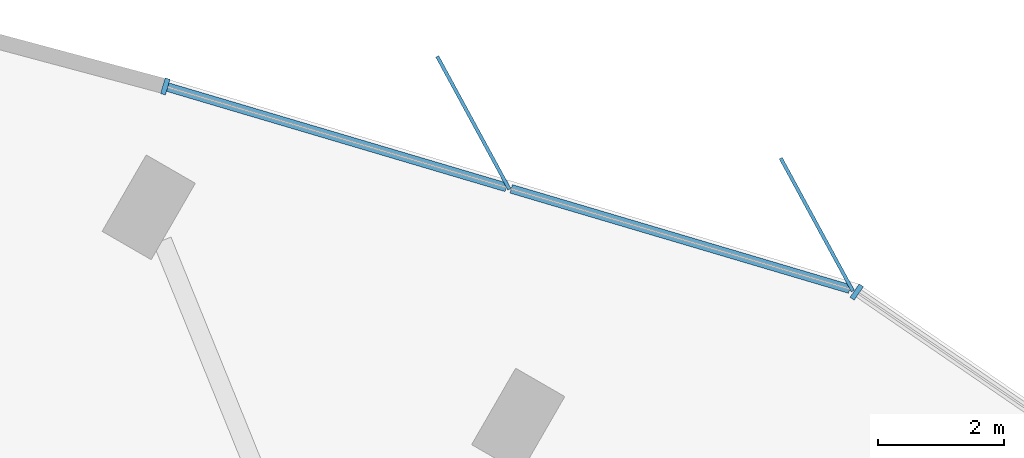
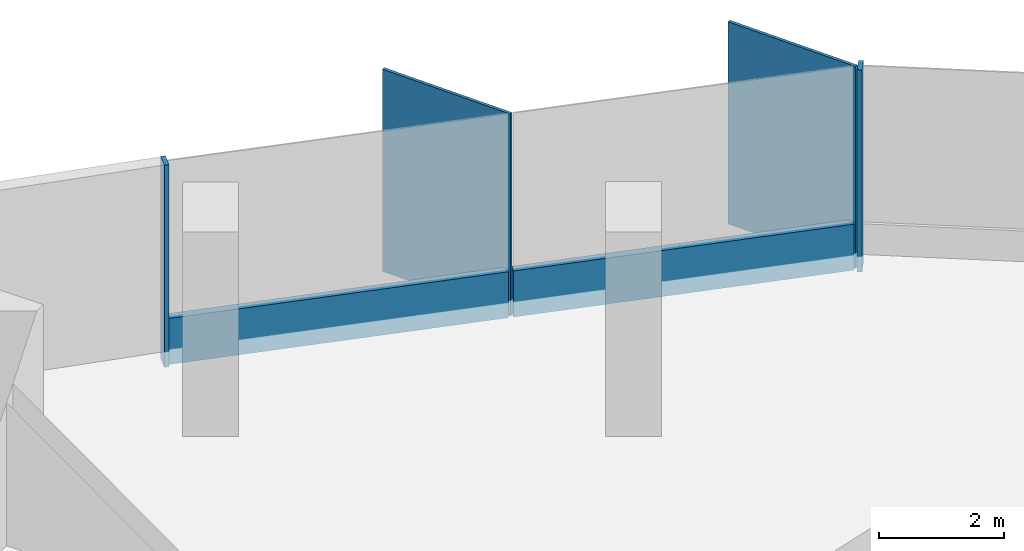
# One storey, part 6 of 13: 6 members, 2 elements without a shape of their own.
"""IFC4 building model written with IfcOpenShell, lengths in metres."""

from ifc_helpers import new_model, si_unit, direction, frame, origin, origin_2d, place, context, subcontext, project, spatial, rectangle, extrude, material, material_profile, profile_set, type_object, element, aggregate, save


model = new_model("IFC4")

# Units and contexts
model_context = context("Model", 3, precision=1e-05, world=origin(), true_north=direction((0.0, 1.0)))
body_context = subcontext(model_context, "Body", "Model", "MODEL_VIEW")
ifc_project = project(units=[si_unit("LENGTHUNIT", "METRE"), si_unit("AREAUNIT", "SQUARE_METRE"), si_unit("VOLUMEUNIT", "CUBIC_METRE"), si_unit("PLANEANGLEUNIT", "RADIAN"), si_unit("MASSUNIT", "GRAM", prefix="KILO")], contexts=[model_context])

# Site, building, storey
site_placement = place(None, origin())
site = spatial("IfcSite", under=ifc_project, at=site_placement, CompositionType="ELEMENT")
building_placement = place(site_placement, origin())
building = spatial("IfcBuilding", under=site, at=building_placement, Name="Tanit Gate Tower", CompositionType="ELEMENT")
storey_placement = place(building_placement, frame((0.0, 0.0, 273.199951171875)))
storey = spatial("IfcBuildingStorey", under=building, at=storey_placement, Name="L62", CompositionType="ELEMENT", Elevation=273.199951171875)

# Curtain wall, members
ifc_material_1 = material(Name="Aluminium bronze anodised and glass", Category="aluminium")
curtain_wall_type = type_object("IfcCurtainWallType", Name="Curtain wall typical mid", PredefinedType="NOTDEFINED", material=ifc_material_1)
curtain_wall_1_placement = place(storey_placement, origin())
curtain_wall_1 = element("IfcCurtainWall", 1, at=curtain_wall_1_placement, inside=storey, type_object=curtain_wall_type, Name="Curtain wall L62 NE3", PredefinedType="NOTDEFINED")
ifc_material_2 = material(Name="Aluminium bronze anodised", Category="aluminium")
ifc_material_profile_1 = material_profile(ifc_material_2, rectangle(XDim=2.39990234375, YDim=0.055908203125, at=origin_2d()), Name="56x2400 bronze fin mullion")
ifc_profile_set_1 = profile_set([ifc_material_profile_1], Name="Aluminium bronze anodised")
member_type_1 = type_object("IfcMemberType", Name="FIN MULLION 56x2400 bronze", PredefinedType="MULLION", material=ifc_profile_set_1)
member_1_placement = place(storey_placement, frame((-2.2919921875, 31.559814453125, -0.300048828125), z_axis=(0.0, 0.0, 1.0), x_axis=(0.477246259846, -0.878769598622, 0.0)))
member_1 = element("IfcMember", 2, at=member_1_placement, type_object=member_type_1, Name="Fin mullion L62 NE3.1", PredefinedType="MULLION", context=body_context, shape_type="SweptSolid", body=[
    extrude(rectangle(XDim=2.39990234375, YDim=0.055908203125, at=origin_2d()), origin(), (0.0, 0.0, 1.0), 3.9501953125),
])
member_2_placement = place(storey_placement, frame((-7.7431640625, 33.174072265625, -0.300048828125), z_axis=(0.0, 0.0, 1.0), x_axis=(0.477246259846, -0.878769598622, 0.0)))
member_2 = element("IfcMember", 3, at=member_2_placement, type_object=member_type_1, Name="Fin mullion L62 NE3.2", PredefinedType="MULLION", context=body_context, shape_type="SweptSolid", body=[
    extrude(rectangle(XDim=2.39990234375, YDim=0.055908203125, at=origin_2d()), origin(), (0.0, 0.0, 1.0), 3.9501953125),
])

# Curtain wall, member
curtain_wall_2_placement = place(storey_placement, origin())
curtain_wall_2 = element("IfcCurtainWall", 4, at=curtain_wall_2_placement, inside=storey, type_object=curtain_wall_type, Name="Curtain wall L62 NE2", PredefinedType="NOTDEFINED")
ifc_material_3 = material(Name="Aluminium bronze anodised", Category="aluminium")
ifc_material_profile_2 = material_profile(ifc_material_3, rectangle(XDim=0.260009765625, YDim=0.080078125, at=origin_2d()), Name="80x260 bronze mullion")
ifc_profile_set_2 = profile_set([ifc_material_profile_2], Name="Aluminium bronze anodised")
member_type_2 = type_object("IfcMemberType", Name="Mullion 80x260 typical mid", PredefinedType="MULLION", material=ifc_profile_set_2)
member_3_placement = place(storey_placement, frame((-1.657958984375, 30.489990234375, -0.300048828125), z_axis=(0.0, 0.0, 1.0), x_axis=(-0.565779513784, -0.824556572821, 0.0)))
member_3 = element("IfcMember", 5, at=member_3_placement, type_object=member_type_2, Name="Mullion L62 NE2.5", PredefinedType="MULLION", context=body_context, shape_type="SweptSolid", body=[
    extrude(rectangle(XDim=0.260009765625, YDim=0.080078125, at=origin_2d()), origin(), (0.0, 0.0, 1.0), 3.9501953125),
])
aggregate(curtain_wall_2, [member_3])

# Member
member_4_placement = place(storey_placement, frame((-12.631591796875, 33.752197265625, -0.300048828125), z_axis=(0.0, 0.0, 1.0), x_axis=(-0.283919875653, -0.95884800892, 0.0)))
member_4 = element("IfcMember", 6, at=member_4_placement, type_object=member_type_2, Name="Mullion L62 NE3.3", PredefinedType="MULLION", context=body_context, shape_type="SweptSolid", body=[
    extrude(rectangle(XDim=0.260009765625, YDim=0.080078125, at=origin_2d()), origin(), (0.0, 0.0, 1.0), 3.9501953125),
])

ifc_material_4 = material(Name="Aluminium bronze anodised", Category="aluminium")
ifc_material_profile_3 = material_profile(ifc_material_4, rectangle(XDim=0.139892578125, YDim=0.89990234375, at=origin_2d()), Name="140x900 bronze transom")
ifc_profile_set_3 = profile_set([ifc_material_profile_3], Name="Aluminium bronze anodised")
member_type_3 = type_object("IfcMemberType", Name="Transom 140x900 typical mid", PredefinedType="USERDEFINED", material=ifc_profile_set_3)
member_5_placement = place(storey_placement, frame((-1.767822265625, 30.535400390625, 0.150146484375), z_axis=(-0.9588499493, 0.283913322561, 0.0), x_axis=(-0.283913322561, -0.9588499493, 0.0)))
member_5 = element("IfcMember", 7, at=member_5_placement, type_object=member_type_3, Name="Transom L62 NE3.1", ObjectType="TRANSOM", PredefinedType="USERDEFINED", context=body_context, shape_type="SweptSolid", body=[
    extrude(rectangle(XDim=0.139892578125, YDim=0.89990234375, at=origin_2d()), origin(), (0.0, 0.0, 1.0), 5.60498046875),
])

member_6_placement = place(storey_placement, frame((-7.21875, 32.1494140625, 0.150146484375), z_axis=(-0.958841602534, 0.283941510263, 0.0), x_axis=(-0.283941510263, -0.958841602534, 0.0)))
member_6 = element("IfcMember", 8, at=member_6_placement, type_object=member_type_3, Name="Transom L62 NE3.2", ObjectType="TRANSOM", PredefinedType="USERDEFINED", context=body_context, shape_type="SweptSolid", body=[
    extrude(rectangle(XDim=0.139892578125, YDim=0.89990234375, at=origin_2d()), origin(), (0.0, 0.0, 1.0), 5.605224609375),
])

aggregate(curtain_wall_1, [member_1, member_2, member_4, member_5, member_6])

save(model, "model.ifc")
